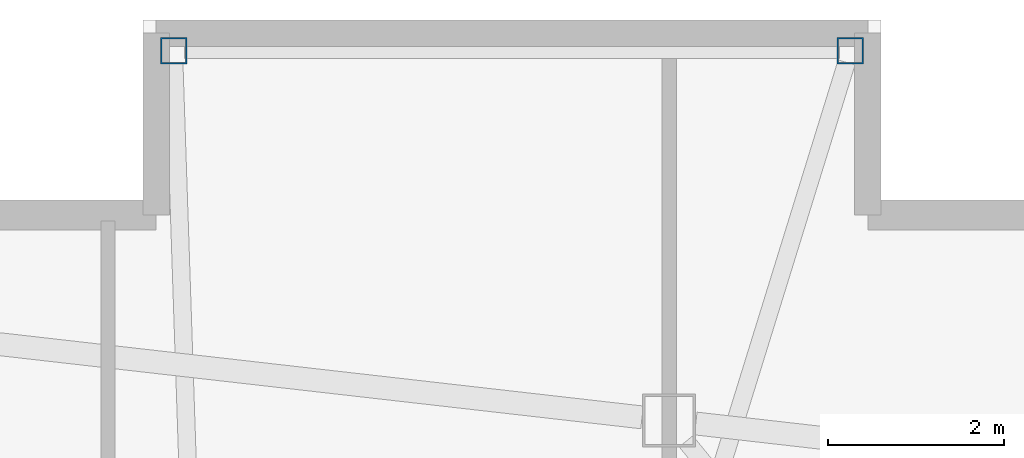
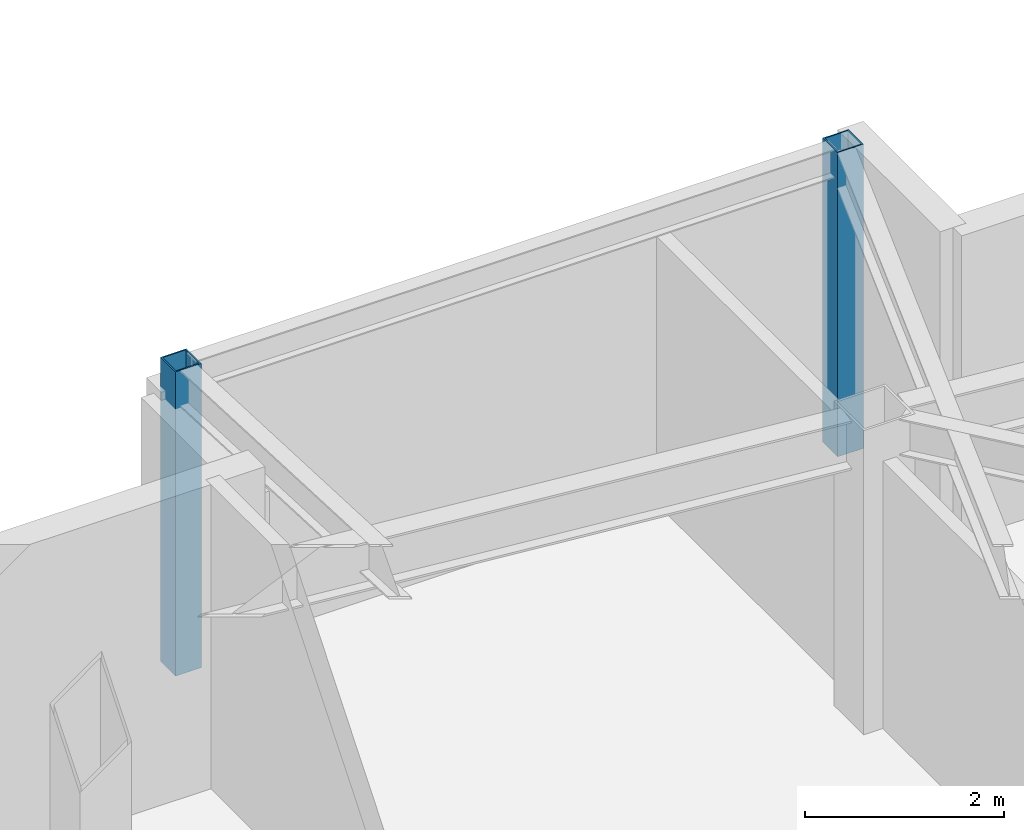
# One storey, part 2 of 18: 2 columns.
"""IFC4 building model written with IfcOpenShell, lengths in metres."""

from ifc_helpers import new_model, si_unit, direction, frame, origin, origin_2d, place, context, subcontext, project, spatial, hollow_rectangle, extrude, material, material_profile, profile_set, type_object, element, save


model = new_model("IFC4")

# Units and contexts
model_context = context("Model", 3, precision=1e-05, world=origin(), true_north=direction((0.0, 1.0)))
body_context = subcontext(model_context, "Body", "Model", "MODEL_VIEW")
ifc_project = project(units=[si_unit("LENGTHUNIT", "METRE"), si_unit("AREAUNIT", "SQUARE_METRE"), si_unit("VOLUMEUNIT", "CUBIC_METRE"), si_unit("PLANEANGLEUNIT", "RADIAN"), si_unit("MASSUNIT", "GRAM", prefix="KILO")], contexts=[model_context])

# Site, building, storey
site_placement = place(None, origin())
site = spatial("IfcSite", under=ifc_project, at=site_placement, CompositionType="ELEMENT")
building_placement = place(site_placement, origin())
building = spatial("IfcBuilding", under=site, at=building_placement, Name="Tavrogorsk Clinical Tower", CompositionType="ELEMENT")
storey_placement = place(building_placement, frame((0.0, 0.0, 184.199951171875)))
storey = spatial("IfcBuildingStorey", under=building, at=storey_placement, Name="L42", CompositionType="ELEMENT", Elevation=184.199951171875)

# Columns
ifc_material = material(Name="Structural steel S390", Category="steel")
ifc_material_profile = material_profile(ifc_material, hollow_rectangle(XDim=0.300048828125, YDim=0.300048828125, WallThickness=0.01611328125, at=origin_2d()), Name="SHS-300x300x16")
ifc_profile_set = profile_set([ifc_material_profile], Name="Structural steel S390")
column_type = type_object("IfcColumnType", Name="DayroomCol_SHS300", PredefinedType="COLUMN", material=ifc_profile_set)
for number, where, z_axis, x_axis, name in (
    (1, (9.550048828125, 28.800048828125, 0.0), (0.0, 0.0, 1.0), (1.0, 0.0, 0.0), "L42 Day-Room Box Column DRB-06-L"),
    (2, (17.25, 28.800048828125, 0.0), (0.0, 0.0, 1.0), (1.0, 0.0, 0.0), "L42 Day-Room Box Column DRB-06-R"),
):
    element("IfcColumn", number, at=place(storey_placement, frame(where, z_axis=z_axis, x_axis=x_axis)), inside=storey, type_object=column_type, Name=name, PredefinedType="COLUMN", context=body_context, shape_type="SweptSolid", body=[
        extrude(hollow_rectangle(XDim=0.300048828125, YDim=0.300048828125, WallThickness=0.01611328125, at=origin_2d()), origin(), (0.0, 0.0, 1.0), 3.739990234375),
    ])

save(model, "model.ifc")
